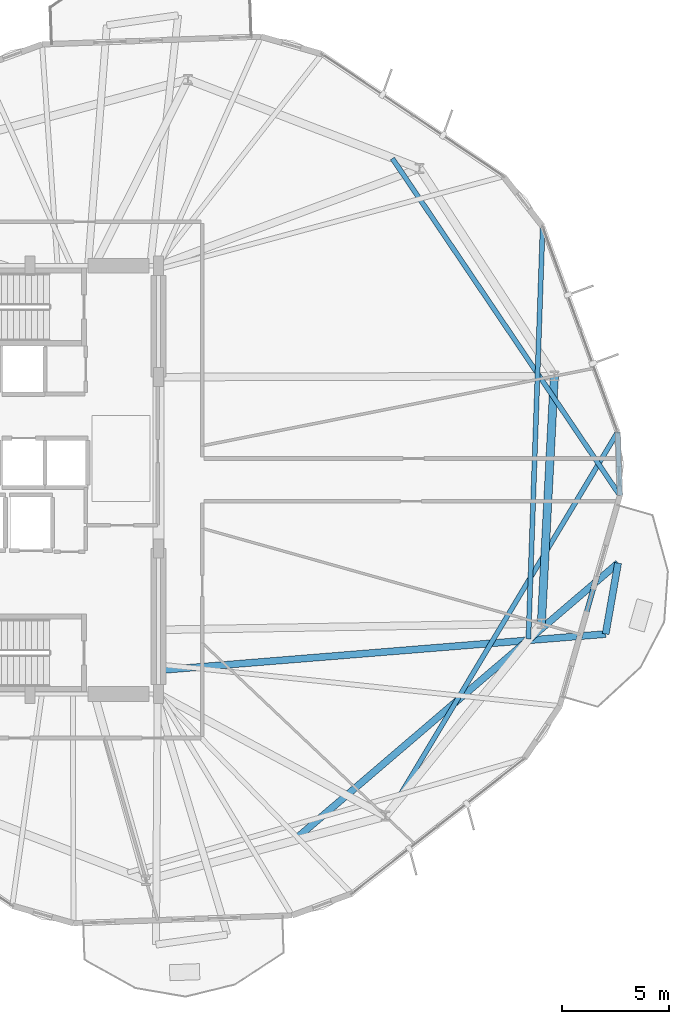
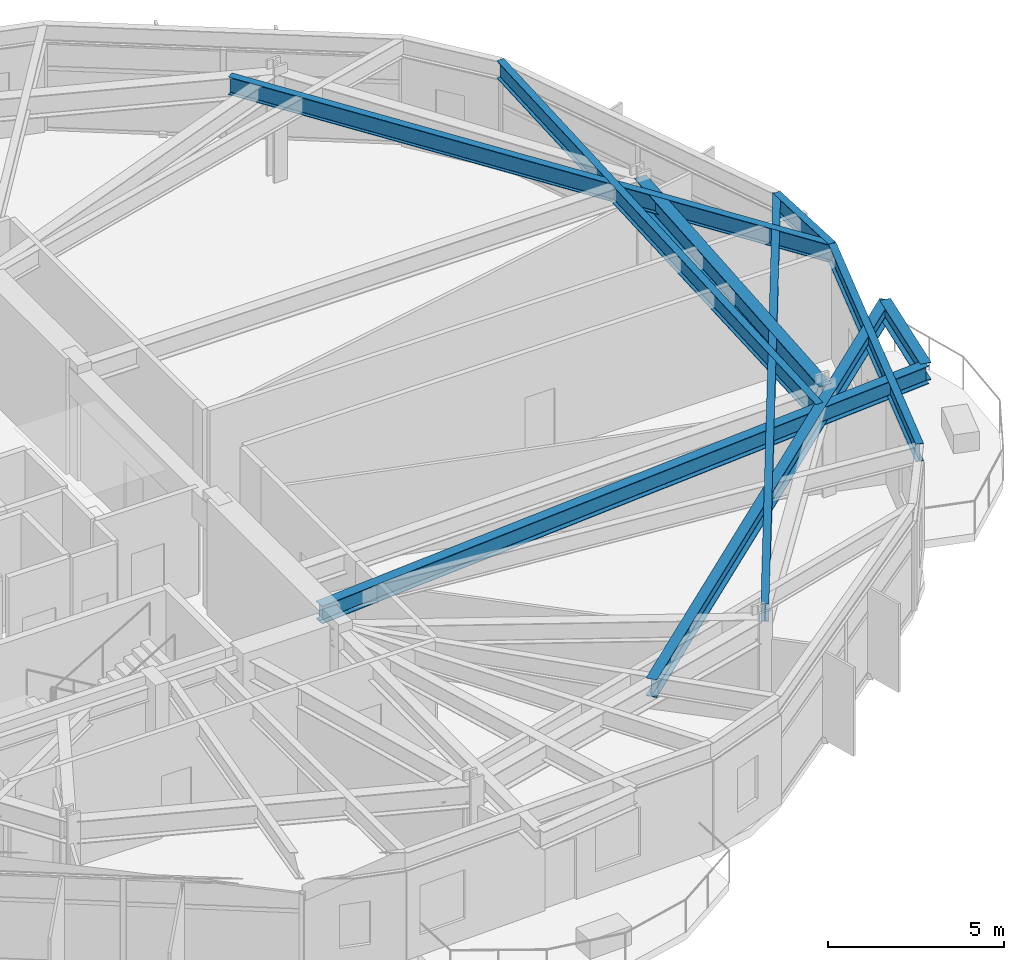
# One storey, part 10 of 21: 9 beams.
"""IFC4 building model written with IfcOpenShell, lengths in metres."""

from ifc_helpers import new_model, si_unit, direction, frame, origin, origin_2d, place, context, subcontext, project, spatial, i_section, extrude, material, material_profile, profile_set, type_object, element, save


model = new_model("IFC4")

# Units and contexts
model_context = context("Model", 3, precision=1e-05, world=origin(), true_north=direction((0.0, 1.0)))
body_context = subcontext(model_context, "Body", "Model", "MODEL_VIEW")
ifc_project = project(units=[si_unit("LENGTHUNIT", "METRE"), si_unit("AREAUNIT", "SQUARE_METRE"), si_unit("VOLUMEUNIT", "CUBIC_METRE"), si_unit("PLANEANGLEUNIT", "RADIAN"), si_unit("MASSUNIT", "GRAM", prefix="KILO")], contexts=[model_context])

# Site, building, storey
site_placement = place(None, origin())
site = spatial("IfcSite", under=ifc_project, at=site_placement, CompositionType="ELEMENT")
building_placement = place(site_placement, origin())
building = spatial("IfcBuilding", under=site, at=building_placement, Name="Soratama Intermodal Tower", CompositionType="ELEMENT")
storey_placement = place(building_placement, frame((0.0, 0.0, 34.60009765625)))
storey = spatial("IfcBuildingStorey", under=building, at=storey_placement, Name="L07", CompositionType="ELEMENT", Elevation=34.60009765625)

# Beams
ifc_material_1 = material(Name="Structural steel ASTM A992 Grade 50", Category="steel")
ifc_material_profile_1 = material_profile(ifc_material_1, i_section(OverallWidth=0.324951171875, OverallDepth=0.615966796875, WebThickness=0.013916015625, FlangeThickness=0.021484375, FilletRadius=0.013916015625, at=origin_2d()), Name="W24X117")
ifc_profile_set_1 = profile_set([ifc_material_profile_1], Name="Structural steel ASTM A992 Grade 50")
beam_type_1 = type_object("IfcBeamType", Name="BM-CANT-W24X117", PredefinedType="BEAM", material=ifc_profile_set_1)
beam_1_placement = place(storey_placement, frame((65.47802734375, 17.802978515625, 3.391845703125), z_axis=(0.172567076976, 0.984997768497, 0.0), x_axis=(-0.984997768497, 0.172567076976, 0.0)))
element("IfcBeam", 1, at=beam_1_placement, inside=storey, type_object=beam_type_1, Name="BM-L07-CBHDR-1", PredefinedType="BEAM", context=body_context, shape_type="SweptSolid", body=[
    extrude(i_section(OverallWidth=0.324951171875, OverallDepth=0.615966796875, WebThickness=0.013916015625, FlangeThickness=0.021484375, FilletRadius=0.013916015625, at=origin_2d()), origin(), (0.0, 0.0, 1.0), 3.361572265625),
])
beam_2_placement = place(storey_placement, frame((44.639892578125, 16.113037109375, 3.391845703125), z_axis=(0.996727649691, 0.08083311414, 0.0), x_axis=(-0.08083311414, 0.996727649691, 0.0)))
element("IfcBeam", 2, at=beam_2_placement, inside=storey, type_object=beam_type_1, Name="BM-L07-CANT-1-1", PredefinedType="BEAM", context=body_context, shape_type="SweptSolid", body=[
    extrude(i_section(OverallWidth=0.324951171875, OverallDepth=0.615966796875, WebThickness=0.013916015625, FlangeThickness=0.021484375, FilletRadius=0.013916015625, at=origin_2d()), origin(), (0.0, 0.0, 1.0), 20.906494140625),
])
beam_3_placement = place(storey_placement, frame((50.93310546875, 8.176025390625, 3.391845703125), z_axis=(0.759909065161, 0.65002939371, 0.0), x_axis=(-0.65002939371, 0.759909065161, 0.0)))
element("IfcBeam", 3, at=beam_3_placement, inside=storey, type_object=beam_type_1, Name="BM-L07-CANT-1-2", PredefinedType="BEAM", context=body_context, shape_type="SweptSolid", body=[
    extrude(i_section(OverallWidth=0.324951171875, OverallDepth=0.615966796875, WebThickness=0.013916015625, FlangeThickness=0.021484375, FilletRadius=0.013916015625, at=origin_2d()), origin(), (0.0, 0.0, 1.0), 19.90380859375),
])
ifc_material_2 = material(Name="Structural steel ASTM A992 Grade 50", Category="steel")
ifc_material_profile_2 = material_profile(ifc_material_2, i_section(OverallWidth=0.382080078125, OverallDepth=0.779052734375, WebThickness=0.01806640625, FlangeThickness=0.030029296875, FilletRadius=0.01806640625, at=origin_2d()), Name="W30X191")
ifc_profile_set_2 = profile_set([ifc_material_profile_2], Name="Structural steel ASTM A992 Grade 50")
beam_type_2 = type_object("IfcBeamType", Name="BM-RING-W30X191", PredefinedType="BEAM", material=ifc_profile_set_2)
beam_4_placement = place(storey_placement, frame((62.47705078125, 18.291015625, 3.310302734375), z_axis=(0.052289698717, 0.998631957935, 0.0), x_axis=(-0.998631957935, 0.052289698717, 0.0)))
element("IfcBeam", 4, at=beam_4_placement, inside=storey, type_object=beam_type_2, Name="BM-L07-RING-10", PredefinedType="BEAM", context=body_context, shape_type="SweptSolid", body=[
    extrude(i_section(OverallWidth=0.382080078125, OverallDepth=0.779052734375, WebThickness=0.01806640625, FlangeThickness=0.030029296875, FilletRadius=0.01806640625, at=origin_2d()), origin(), (0.0, 0.0, 1.0), 11.56982421875),
])
ifc_material_3 = material(Name="Structural steel ASTM A992 Grade 50", Category="steel")
ifc_material_profile_3 = material_profile(ifc_material_3, i_section(OverallWidth=0.22900390625, OverallDepth=0.612060546875, WebThickness=0.011962890625, FlangeThickness=0.01953125, FilletRadius=0.012939453125, at=origin_2d()), Name="W24X84")
ifc_profile_set_3 = profile_set([ifc_material_profile_3], Name="Structural steel ASTM A992 Grade 50")
beam_type_3 = type_object("IfcBeamType", Name="BM-SPN-W24X84", PredefinedType="SPANDREL", material=ifc_profile_set_3)
beam_5_placement = place(storey_placement, frame((63.3349609375, 14.43994140625, 3.393798828125), z_axis=(0.274967139431, 0.961453624588, 0.0), x_axis=(-0.961453624588, 0.274967139431, 0.0)))
element("IfcBeam", 5, at=beam_5_placement, inside=storey, type_object=beam_type_3, Name="BS-L07-F10", PredefinedType="SPANDREL", context=body_context, shape_type="SweptSolid", body=[
    extrude(i_section(OverallWidth=0.22900390625, OverallDepth=0.612060546875, WebThickness=0.011962890625, FlangeThickness=0.01953125, FilletRadius=0.012939453125, at=origin_2d()), origin(), (0.0, 0.0, 1.0), 10.22314453125),
])
beam_6_placement = place(storey_placement, frame((66.14599609375, 24.26904296875, 3.393798828125), z_axis=(-0.035715012738, 0.99936201542, 0.0), x_axis=(-0.99936201542, -0.035715012738, 0.0)))
element("IfcBeam", 6, at=beam_6_placement, inside=storey, type_object=beam_type_3, Name="BS-L07-CRN10", PredefinedType="SPANDREL", context=body_context, shape_type="SweptSolid", body=[
    extrude(i_section(OverallWidth=0.22900390625, OverallDepth=0.612060546875, WebThickness=0.011962890625, FlangeThickness=0.01953125, FilletRadius=0.012939453125, at=origin_2d()), origin(), (0.0, 0.0, 1.0), 2.966796875),
])
ifc_material_4 = material(Name="Structural steel ASTM A992 Grade 50", Category="steel")
ifc_material_profile_4 = material_profile(ifc_material_4, i_section(OverallWidth=0.22900390625, OverallDepth=0.612060546875, WebThickness=0.011962890625, FlangeThickness=0.01953125, FilletRadius=0.012939453125, at=origin_2d()), Name="W24X84")
ifc_profile_set_4 = profile_set([ifc_material_profile_4], Name="Structural steel ASTM A992 Grade 50")
beam_type_4 = type_object("IfcBeamType", Name="BM-TIE-W24X84", PredefinedType="BEAM", material=ifc_profile_set_4)
beam_7_placement = place(storey_placement, frame((55.580078125, 9.783935546875, 3.393798828125), z_axis=(0.514133940753, 0.857709910731, 0.0), x_axis=(-0.857709910731, 0.514133940753, 0.0)))
element("IfcBeam", 7, at=beam_7_placement, inside=storey, type_object=beam_type_4, Name="BM-L07-TIE0-01", PredefinedType="BEAM", context=body_context, shape_type="SweptSolid", body=[
    extrude(i_section(OverallWidth=0.22900390625, OverallDepth=0.612060546875, WebThickness=0.011962890625, FlangeThickness=0.01953125, FilletRadius=0.012939453125, at=origin_2d()), origin(), (0.0, 0.0, 1.0), 20.3447265625),
])
beam_8_placement = place(storey_placement, frame((61.87109375, 17.58203125, 3.393798828125), z_axis=(0.034567016158, 0.999402382123, 0.0), x_axis=(-0.999402382123, 0.034567016158, 0.0)))
element("IfcBeam", 8, at=beam_8_placement, inside=storey, type_object=beam_type_4, Name="BM-L07-TIE1-01", PredefinedType="BEAM", context=body_context, shape_type="SweptSolid", body=[
    extrude(i_section(OverallWidth=0.22900390625, OverallDepth=0.612060546875, WebThickness=0.011962890625, FlangeThickness=0.01953125, FilletRadius=0.012939453125, at=origin_2d()), origin(), (0.0, 0.0, 1.0), 19.267333984375),
])
beam_9_placement = place(storey_placement, frame((55.52197265625, 40.007080078125, 3.393798828125), z_axis=(0.55950354902, -0.828827954786, 0.0), x_axis=(0.828827954786, 0.55950354902, 0.0)))
element("IfcBeam", 9, at=beam_9_placement, inside=storey, type_object=beam_type_4, Name="BM-L07-TIE1-10", PredefinedType="BEAM", context=body_context, shape_type="SweptSolid", body=[
    extrude(i_section(OverallWidth=0.22900390625, OverallDepth=0.612060546875, WebThickness=0.011962890625, FlangeThickness=0.01953125, FilletRadius=0.012939453125, at=origin_2d()), origin(), (0.0, 0.0, 1.0), 18.98828125),
])

save(model, "model.ifc")
